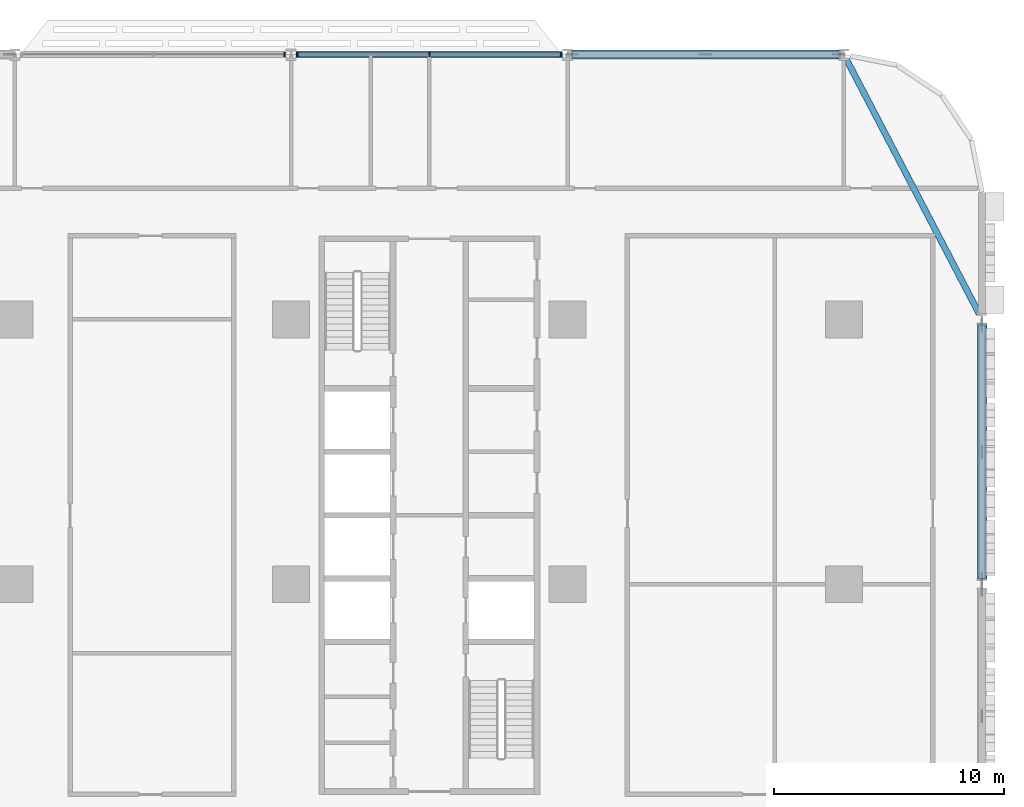
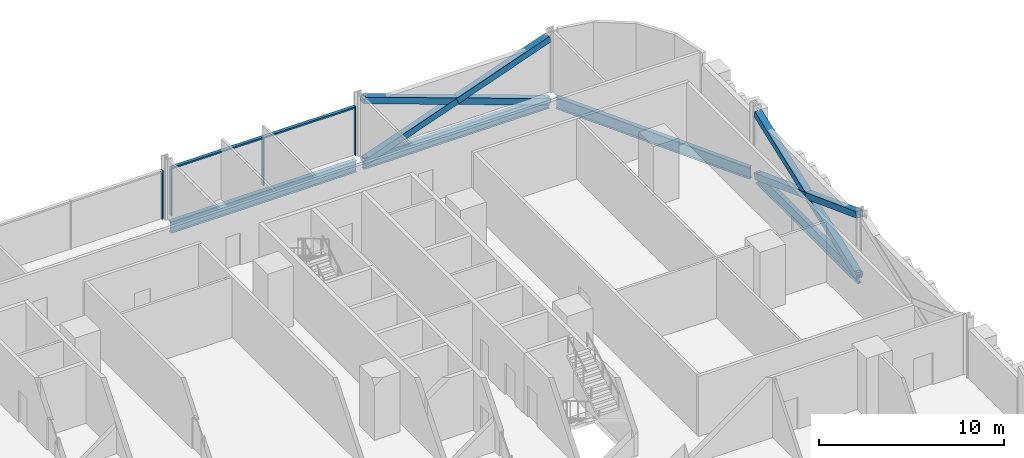
# One storey, part 8 of 29: 12 members, 4 beams, 2 elements without a shape of their own.
"""IFC4 building model written with IfcOpenShell, lengths in metres."""

from ifc_helpers import new_model, si_unit, direction, frame, origin, origin_2d, place, context, subcontext, project, spatial, rectangle, hollow_rectangle, i_section, extrude, material, material_profile, profile_set, type_object, element, aggregate, save


model = new_model("IFC4")

# Units and contexts
model_context = context("Model", 3, precision=1e-05, world=origin(), true_north=direction((0.0, 1.0)))
body_context = subcontext(model_context, "Body", "Model", "MODEL_VIEW")
ifc_project = project(units=[si_unit("LENGTHUNIT", "METRE"), si_unit("AREAUNIT", "SQUARE_METRE"), si_unit("VOLUMEUNIT", "CUBIC_METRE"), si_unit("PLANEANGLEUNIT", "RADIAN"), si_unit("MASSUNIT", "GRAM", prefix="KILO")], contexts=[model_context])

# Site, building, storey
site_placement = place(None, origin())
site = spatial("IfcSite", under=ifc_project, at=site_placement, CompositionType="ELEMENT")
building_placement = place(site_placement, origin())
building = spatial("IfcBuilding", under=site, at=building_placement, Name="Mahtab Terrace Research Tower", CompositionType="ELEMENT")
storey_placement = place(building_placement, frame((0.0, 0.0, 20.10009765625)))
storey = spatial("IfcBuildingStorey", under=building, at=storey_placement, Name="L04", CompositionType="ELEMENT", Elevation=20.10009765625)

# Members
ifc_material_1 = material(Name="Steel ASTM A500 Gr C", Category="steel")
ifc_material_profile_1 = material_profile(ifc_material_1, hollow_rectangle(XDim=0.406494140625, YDim=0.406494140625, WallThickness=0.01904296875, at=origin_2d()), Name="HSS16X16X3/4")
ifc_profile_set_1 = profile_set([ifc_material_profile_1], Name="Steel ASTM A500 Gr C")
member_type_1 = type_object("IfcMemberType", Name="HSS 16x16x3/4 brace XB161634", PredefinedType="BRACE", material=ifc_profile_set_1)
member_1_placement = place(storey_placement, frame((41.7841796875, 23.0, -0.64111328125), z_axis=(-0.941388097231, 0.0, 0.337325436917), x_axis=(0.0, -1.0, 0.0)))
element("IfcMember", 1, at=member_1_placement, inside=storey, type_object=member_type_1, Name="Exoskeleton brace L04 01 a", PredefinedType="BRACE", context=body_context, shape_type="SweptSolid", body=[
    extrude(hollow_rectangle(XDim=0.406494140625, YDim=0.406494140625, WallThickness=0.01904296875, at=origin_2d()), origin(), (0.0, 0.0, 1.0), 12.28857421875),
])
for number, where, z_axis, x_axis, name in (
    (2, (30.2158203125, 23.0, -0.64111328125), (0.941394406025, 0.0, 0.337307830185), (0.0, 1.0, 0.0), "Exoskeleton brace L04 01 b1"),
    (3, (36.0, 23.0, 1.431396484375), (0.941381788192, 0.0, 0.337343043295), (0.0, 1.0, 0.0), "Exoskeleton brace L04 01 b2"),
):
    element("IfcMember", number, at=place(storey_placement, frame(where, z_axis=z_axis, x_axis=x_axis)), inside=storey, type_object=member_type_1, Name=name, PredefinedType="BRACE", context=body_context, shape_type="SweptSolid", body=[
        extrude(hollow_rectangle(XDim=0.406494140625, YDim=0.406494140625, WallThickness=0.01904296875, at=origin_2d()), origin(), (0.0, 0.0, 1.0), 6.144287109375),
    ])
member_2_placement = place(storey_placement, frame((48.0, 0.248779296875, -0.62548828125), z_axis=(0.0, 0.936668691391, 0.350216736563), x_axis=(-1.0, 0.0, 0.0)))
element("IfcMember", 4, at=member_2_placement, inside=storey, type_object=member_type_1, Name="Exoskeleton brace L04 21 a", PredefinedType="BRACE", context=body_context, shape_type="SweptSolid", body=[
    extrude(hollow_rectangle(XDim=0.406494140625, YDim=0.406494140625, WallThickness=0.01904296875, at=origin_2d()), origin(), (0.0, 0.0, 1.0), 11.746337890625),
])
for number, where, z_axis, x_axis, name in (
    (5, (48.0, 11.251220703125, -0.62548828125), (0.0, -0.936668691391, 0.350216736563), (1.0, 0.0, 0.0), "Exoskeleton brace L04 21 b1"),
    (6, (48.0, 5.75, 1.431396484375), (0.0, -0.936668691391, 0.350216736563), (1.0, 0.0, 0.0), "Exoskeleton brace L04 21 b2"),
):
    element("IfcMember", number, at=place(storey_placement, frame(where, z_axis=z_axis, x_axis=x_axis)), inside=storey, type_object=member_type_1, Name=name, PredefinedType="BRACE", context=body_context, shape_type="SweptSolid", body=[
        extrude(hollow_rectangle(XDim=0.406494140625, YDim=0.406494140625, WallThickness=0.01904296875, at=origin_2d()), origin(), (0.0, 0.0, 1.0), 5.873291015625),
    ])

# Curtain wall, members
ifc_material_2 = material(Name="Laboratory ribbon curtain wall")
curtain_wall_type = type_object("IfcCurtainWallType", Name="Laboratory ribbon curtain wall", PredefinedType="NOTDEFINED", material=ifc_material_2)
curtain_wall_1_placement = place(storey_placement, origin())
curtain_wall_1 = element("IfcCurtainWall", 7, at=curtain_wall_1_placement, inside=storey, type_object=curtain_wall_type, Name="EN.L04.3.4", PredefinedType="NOTDEFINED")
ifc_material_3 = material(Name="Natural anodised aluminium", Category="aluminium")
ifc_material_profile_2 = material_profile(ifc_material_3, rectangle(XDim=0.199951171875, YDim=0.06494140625, at=origin_2d()), Name="MULLION 65x200")
ifc_profile_set_2 = profile_set([ifc_material_profile_2], Name="Natural anodised aluminium")
member_type_2 = type_object("IfcMemberType", Name="Laboratory ribbon curtain wall mullion", PredefinedType="MULLION", material=ifc_profile_set_2)
member_3_placement = place(storey_placement, frame((29.718505859375, 23.0, 0.0), z_axis=(0.0, 0.0, 1.0), x_axis=(0.0, -1.0, 0.0)))
member_3 = element("IfcMember", 8, at=member_3_placement, type_object=member_type_2, Name="CWL-1 mullion 1", PredefinedType="MULLION", context=body_context, shape_type="SweptSolid", body=[
    extrude(rectangle(XDim=0.199951171875, YDim=0.06494140625, at=origin_2d()), origin(), (0.0, 0.0, 1.0), 3.202880859375),
])
member_4_placement = place(storey_placement, frame((24.0, 23.0, 0.0), z_axis=(0.0, 0.0, 1.0), x_axis=(0.0, -1.0, 0.0)))
member_4 = element("IfcMember", 9, at=member_4_placement, type_object=member_type_2, Name="CWL-1 mullion 2", PredefinedType="MULLION", context=body_context, shape_type="SweptSolid", body=[
    extrude(rectangle(XDim=0.199951171875, YDim=0.06494140625, at=origin_2d()), origin(), (0.0, 0.0, 1.0), 3.202880859375),
])
member_5_placement = place(storey_placement, frame((18.281494140625, 23.0, 0.0), z_axis=(0.0, 0.0, 1.0), x_axis=(0.0, -1.0, 0.0)))
member_5 = element("IfcMember", 10, at=member_5_placement, type_object=member_type_2, Name="CWL-1 mullion 3", PredefinedType="MULLION", context=body_context, shape_type="SweptSolid", body=[
    extrude(rectangle(XDim=0.199951171875, YDim=0.06494140625, at=origin_2d()), origin(), (0.0, 0.0, 1.0), 3.202880859375),
])

# Curtain wall, member
curtain_wall_2_placement = place(storey_placement, origin())
curtain_wall_2 = element("IfcCurtainWall", 11, at=curtain_wall_2_placement, inside=storey, type_object=curtain_wall_type, Name="EN.L04.3.5", PredefinedType="NOTDEFINED")
member_6_placement = place(storey_placement, frame((17.718505859375, 23.0, 0.0), z_axis=(0.0, 0.0, 1.0), x_axis=(0.0, -1.0, 0.0)))
member_6 = element("IfcMember", 12, at=member_6_placement, type_object=member_type_2, Name="CWL-1 mullion 1", PredefinedType="MULLION", context=body_context, shape_type="SweptSolid", body=[
    extrude(rectangle(XDim=0.199951171875, YDim=0.06494140625, at=origin_2d()), origin(), (0.0, 0.0, 1.0), 3.202880859375),
])
aggregate(curtain_wall_2, [member_6])

# Member
ifc_material_profile_3 = material_profile(ifc_material_3, rectangle(XDim=0.199951171875, YDim=0.10009765625, at=origin_2d()), Name="TRANSOM 100x200")
ifc_profile_set_3 = profile_set([ifc_material_profile_3], Name="Natural anodised aluminium")
member_type_3 = type_object("IfcMemberType", Name="Laboratory ribbon curtain wall transom", PredefinedType="USERDEFINED", material=ifc_profile_set_3)
member_7_placement = place(storey_placement, frame((29.68603515625, 23.0, 3.153076171875), z_axis=(-1.0, 0.0, 0.0), x_axis=(0.0, -1.0, 0.0)))
member_7 = element("IfcMember", 13, at=member_7_placement, type_object=member_type_3, Name="CWL-1 transom 1", ObjectType="TRANSOM", PredefinedType="USERDEFINED", context=body_context, shape_type="SweptSolid", body=[
    extrude(rectangle(XDim=0.199951171875, YDim=0.10009765625, at=origin_2d()), origin(), (0.0, 0.0, 1.0), 5.653564453125),
])

member_8_placement = place(storey_placement, frame((23.967529296875, 23.0, 3.153076171875), z_axis=(-1.0, 0.0, 0.0), x_axis=(0.0, -1.0, 0.0)))
member_8 = element("IfcMember", 14, at=member_8_placement, type_object=member_type_3, Name="CWL-1 transom 2", ObjectType="TRANSOM", PredefinedType="USERDEFINED", context=body_context, shape_type="SweptSolid", body=[
    extrude(rectangle(XDim=0.199951171875, YDim=0.10009765625, at=origin_2d()), origin(), (0.0, 0.0, 1.0), 5.653564453125),
])

aggregate(curtain_wall_1, [member_3, member_4, member_5, member_7, member_8])

# Beams
ifc_material_4 = material(Name="Steel ASTM A992 Gr 50", Category="steel")
ifc_material_profile_4 = material_profile(ifc_material_4, i_section(OverallWidth=0.2666015625, OverallDepth=0.7568359375, WebThickness=0.013916015625, FlangeThickness=0.019287109375, at=origin_2d()), Name="W30X108")
ifc_profile_set_4 = profile_set([ifc_material_profile_4], Name="Steel ASTM A992 Gr 50")
beam_type = type_object("IfcBeamType", Name="W30x108 beam BS30108", PredefinedType="BEAM", material=ifc_profile_set_4)
for number, where, z_axis, x_axis, name in (
    (15, (41.7841796875, 23.0, -0.718505859375), (-1.0, 0.0, 0.0), (0.0, -1.0, 0.0), "Spandrel beam L04 01"),
    (16, (29.7841796875, 23.0, -0.718505859375), (-1.0, 0.0, 0.0), (0.0, -1.0, 0.0), "Spandrel beam L04 02"),
):
    element("IfcBeam", number, at=place(storey_placement, frame(where, z_axis=z_axis, x_axis=x_axis)), inside=storey, type_object=beam_type, Name=name, PredefinedType="BEAM", context=body_context, shape_type="SweptSolid", body=[
        extrude(i_section(OverallWidth=0.2666015625, OverallDepth=0.7568359375, WebThickness=0.013916015625, FlangeThickness=0.019287109375, at=origin_2d()), origin(), (0.0, 0.0, 1.0), 11.568359375),
    ])
beam_1_placement = place(storey_placement, frame((48.0, 0.248779296875, -0.718505859375), z_axis=(0.0, 1.0, 0.0), x_axis=(-1.0, 0.0, 0.0)))
element("IfcBeam", 17, at=beam_1_placement, inside=storey, type_object=beam_type, Name="Spandrel beam L04 21", PredefinedType="BEAM", context=body_context, shape_type="SweptSolid", body=[
    extrude(i_section(OverallWidth=0.2666015625, OverallDepth=0.7568359375, WebThickness=0.013916015625, FlangeThickness=0.019287109375, at=origin_2d()), origin(), (0.0, 0.0, 1.0), 11.00244140625),
])
beam_2_placement = place(storey_placement, frame((47.8701171875, 11.748779296875, -0.718505859375), z_axis=(-0.462555249274, 0.88659045865, 0.0), x_axis=(-0.88659045865, -0.462555249274, 0.0)))
element("IfcBeam", 18, at=beam_2_placement, inside=storey, type_object=beam_type, Name="Spandrel beam L04 22", PredefinedType="BEAM", context=body_context, shape_type="SweptSolid", body=[
    extrude(i_section(OverallWidth=0.2666015625, OverallDepth=0.7568359375, WebThickness=0.013916015625, FlangeThickness=0.019287109375, at=origin_2d()), origin(), (0.0, 0.0, 1.0), 12.409912109375),
])

save(model, "model.ifc")
